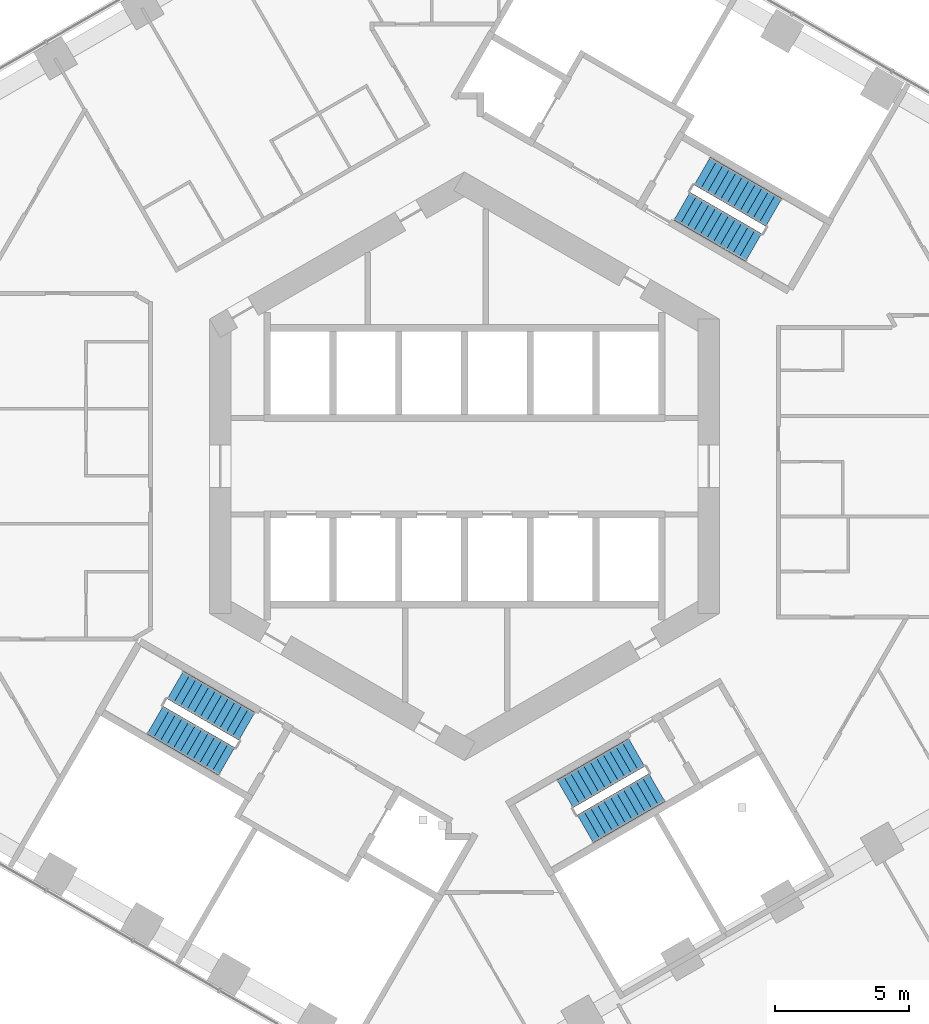
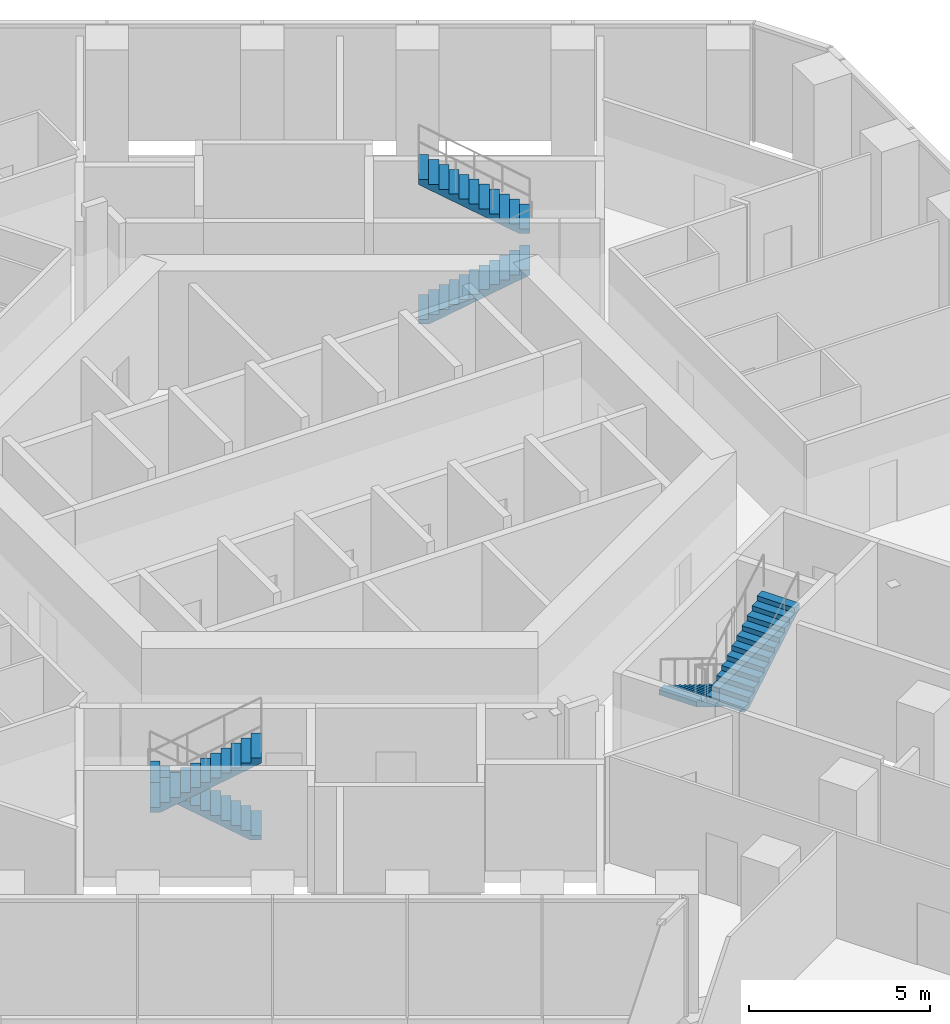
# One storey, part 24 of 27: 6 stair flights, 3 elements without a shape of their own.
"""IFC4 building model written with IfcOpenShell, lengths in metres."""

from ifc_helpers import new_model, si_unit, direction, frame, origin, place, context, subcontext, project, spatial, triangles, material, type_object, element, aggregate, save


model = new_model("IFC4")

# Units and contexts
model_context = context("Model", 3, precision=1e-05, world=origin(), true_north=direction((0.0, 1.0)))
body_context = subcontext(model_context, "Body", "Model", "MODEL_VIEW")
ifc_project = project(units=[si_unit("LENGTHUNIT", "METRE"), si_unit("AREAUNIT", "SQUARE_METRE"), si_unit("VOLUMEUNIT", "CUBIC_METRE"), si_unit("PLANEANGLEUNIT", "RADIAN"), si_unit("MASSUNIT", "GRAM", prefix="KILO")], contexts=[model_context])

# Site, building, storey
site_placement = place(None, origin())
site = spatial("IfcSite", under=ifc_project, at=site_placement, CompositionType="ELEMENT")
building_placement = place(site_placement, origin())
building = spatial("IfcBuilding", under=site, at=building_placement, Name="Ayvan Gate Tower", CompositionType="ELEMENT")
storey_placement = place(building_placement, frame((0.0, 0.0, 70.300048828125)))
storey = spatial("IfcBuildingStorey", under=building, at=storey_placement, Name="L18", CompositionType="ELEMENT", Elevation=70.300048828125)

# Stair, stair flights
ifc_material = material(Name="Concrete C40/50", Category="concrete")
stair_type = type_object("IfcStairType", Name="ST-EXIT", PredefinedType="HALF_TURN_STAIR", material=ifc_material)
stair_1_placement = place(storey_placement, origin())
stair_1 = element("IfcStair", 1, at=stair_1_placement, inside=storey, type_object=stair_type, Name="L18 Exit Stair S1", PredefinedType="HALF_TURN_STAIR")
stair_flight_type = type_object("IfcStairFlightType", Name="SFL-EXIT", PredefinedType="STRAIGHT", material=ifc_material)
stair_flight_1_placement = place(storey_placement, frame((8.106201171875, 9.690185546875, 0.0), z_axis=(0.0, 0.0, 1.0), x_axis=(0.866025403784, -0.5, 0.0)))
stair_flight_1 = element("IfcStairFlight", 2, at=stair_flight_1_placement, type_object=stair_flight_type, Name="STS1 flight 1", NumberOfRisers=12, NumberOfTreads=11, PredefinedType="STRAIGHT", RiserHeight=0.166666667, TreadLength=0.28, context=body_context, shape_type="Tessellation", body=[
    triangles([(0.293073, -0.599976, 0.0), (3.0805, -0.599976, 1.659182), (3.0805, -0.599976, 1.833333), (2.8, -0.599976, 1.833333), (2.8, -0.599976, 1.666667), (2.52, -0.599976, 1.666667), (2.52, -0.599976, 1.5), (2.24, -0.599976, 1.5), (2.24, -0.599976, 1.333333), (1.96, -0.599976, 1.333333), (1.96, -0.599976, 1.166667), (1.68, -0.599976, 1.166667), (1.68, -0.599976, 1.0), (1.4, -0.599976, 1.0), (1.4, -0.599976, 0.833333), (1.12, -0.599976, 0.833333), (1.12, -0.599976, 0.666667), (0.84, -0.599976, 0.666667), (0.84, -0.599976, 0.5), (0.56, -0.599976, 0.5), (0.56, -0.599976, 0.333333), (0.28, -0.599976, 0.333333), (0.28, -0.599976, 0.166667), (-0.0005, -0.599976, 0.166667), (-0.0005, -0.599976, 0.0), (0.293073, 0.0, 0.0), (3.0805, 0.0, 1.659182), (3.0805, 0.0, 1.833333), (2.8, 0.0, 1.833333), (2.8, 0.0, 1.666667), (2.52, 0.0, 1.666667), (2.52, 0.0, 1.5), (2.24, 0.0, 1.5), (2.24, 0.0, 1.333333), (1.96, 0.0, 1.333333), (1.96, 0.0, 1.166667), (1.68, 0.0, 1.166667), (1.68, 0.0, 1.0), (1.4, 0.0, 1.0), (1.4, 0.0, 0.833333), (1.12, 0.0, 0.833333), (1.12, 0.0, 0.666667), (0.84, 0.0, 0.666667), (0.84, 0.0, 0.5), (0.56, 0.0, 0.5), (0.56, 0.0, 0.333333), (0.28, 0.0, 0.333333), (0.28, 0.0, 0.166667), (-0.0005, 0.0, 0.166667), (-0.0005, 0.0, 0.0), (0.293073, 0.599976, 0.0), (3.0805, 0.599976, 1.659182), (3.0805, 0.599976, 1.833333), (2.8, 0.599976, 1.833333), (2.8, 0.599976, 1.666667), (2.52, 0.599976, 1.666667), (2.52, 0.599976, 1.5), (2.24, 0.599976, 1.5), (2.24, 0.599976, 1.333333), (1.96, 0.599976, 1.333333), (1.96, 0.599976, 1.166667), (1.68, 0.599976, 1.166667), (1.68, 0.599976, 1.0), (1.4, 0.599976, 1.0), (1.4, 0.599976, 0.833333), (1.12, 0.599976, 0.833333), (1.12, 0.599976, 0.666667), (0.84, 0.599976, 0.666667), (0.84, 0.599976, 0.5), (0.56, 0.599976, 0.5), (0.56, 0.599976, 0.333333), (0.28, 0.599976, 0.333333), (0.28, 0.599976, 0.166667), (-0.0005, 0.599976, 0.166667), (-0.0005, 0.599976, 0.0)], [[25, 1, 2], [75, 52, 51], [2, 3, 4], [52, 54, 53], [2, 4, 5], [52, 55, 54], [2, 5, 6], [52, 56, 55], [2, 6, 7], [52, 57, 56], [7, 8, 9], [57, 59, 58], [2, 7, 9], [52, 59, 57], [9, 10, 11], [59, 61, 60], [2, 9, 11], [52, 61, 59], [11, 12, 13], [61, 63, 62], [2, 11, 13], [52, 63, 61], [13, 14, 15], [63, 65, 64], [2, 13, 15], [52, 65, 63], [15, 16, 17], [65, 67, 66], [2, 15, 17], [52, 67, 65], [17, 18, 19], [67, 69, 68], [2, 17, 19], [52, 69, 67], [19, 20, 21], [69, 71, 70], [2, 19, 21], [52, 71, 69], [21, 22, 23], [71, 73, 72], [2, 21, 23], [52, 73, 71], [25, 2, 23], [75, 73, 52], [23, 24, 25], [73, 75, 74], [1, 26, 27], [1, 27, 2], [51, 27, 26], [51, 52, 27], [2, 27, 28], [2, 28, 3], [52, 28, 27], [52, 53, 28], [3, 28, 29], [3, 29, 4], [53, 29, 28], [53, 54, 29], [4, 29, 30], [4, 30, 5], [54, 30, 29], [54, 55, 30], [5, 30, 31], [5, 31, 6], [55, 31, 30], [55, 56, 31], [6, 31, 32], [6, 32, 7], [56, 32, 31], [56, 57, 32], [7, 32, 33], [7, 33, 8], [57, 33, 32], [57, 58, 33], [8, 33, 34], [8, 34, 9], [58, 34, 33], [58, 59, 34], [9, 34, 35], [9, 35, 10], [59, 35, 34], [59, 60, 35], [10, 35, 36], [10, 36, 11], [60, 36, 35], [60, 61, 36], [11, 36, 37], [11, 37, 12], [61, 37, 36], [61, 62, 37], [12, 37, 38], [12, 38, 13], [62, 38, 37], [62, 63, 38], [13, 38, 39], [13, 39, 14], [63, 39, 38], [63, 64, 39], [14, 39, 40], [14, 40, 15], [64, 40, 39], [64, 65, 40], [15, 40, 41], [15, 41, 16], [65, 41, 40], [65, 66, 41], [16, 41, 42], [16, 42, 17], [66, 42, 41], [66, 67, 42], [17, 42, 43], [17, 43, 18], [67, 43, 42], [67, 68, 43], [18, 43, 44], [18, 44, 19], [68, 44, 43], [68, 69, 44], [19, 44, 45], [19, 45, 20], [69, 45, 44], [69, 70, 45], [20, 45, 46], [20, 46, 21], [70, 46, 45], [70, 71, 46], [21, 46, 47], [21, 47, 22], [71, 47, 46], [71, 72, 47], [22, 47, 48], [22, 48, 23], [72, 48, 47], [72, 73, 48], [23, 48, 49], [23, 49, 24], [73, 49, 48], [73, 74, 49], [24, 49, 50], [24, 50, 25], [74, 50, 49], [74, 75, 50], [25, 50, 26], [25, 26, 1], [75, 26, 50], [75, 51, 26]], closed=True),
])
stair_flight_2_placement = place(storey_placement, frame((11.528564453125, 9.457763671875, 2.0), z_axis=(0.0, 0.0, 1.0), x_axis=(-0.866025403784, 0.5, 0.0)))
stair_flight_2 = element("IfcStairFlight", 3, at=stair_flight_2_placement, type_object=stair_flight_type, Name="STS1 flight 2", NumberOfRisers=12, NumberOfTreads=11, PredefinedType="STRAIGHT", RiserHeight=0.166666667, TreadLength=0.28, context=body_context, shape_type="Tessellation", body=[
    triangles([(0.293073, -0.599976, 0.0), (3.0805, -0.599976, 1.659182), (3.0805, -0.599976, 1.833333), (2.8, -0.599976, 1.833333), (2.8, -0.599976, 1.666667), (2.52, -0.599976, 1.666667), (2.52, -0.599976, 1.5), (2.24, -0.599976, 1.5), (2.24, -0.599976, 1.333333), (1.96, -0.599976, 1.333333), (1.96, -0.599976, 1.166667), (1.68, -0.599976, 1.166667), (1.68, -0.599976, 1.0), (1.4, -0.599976, 1.0), (1.4, -0.599976, 0.833333), (1.12, -0.599976, 0.833333), (1.12, -0.599976, 0.666667), (0.84, -0.599976, 0.666667), (0.84, -0.599976, 0.5), (0.56, -0.599976, 0.5), (0.56, -0.599976, 0.333333), (0.28, -0.599976, 0.333333), (0.28, -0.599976, 0.166667), (-0.0005, -0.599976, 0.166667), (-0.0005, -0.599976, 0.0), (0.293073, 0.0, 0.0), (3.0805, 0.0, 1.659182), (3.0805, 0.0, 1.833333), (2.8, 0.0, 1.833333), (2.8, 0.0, 1.666667), (2.52, 0.0, 1.666667), (2.52, 0.0, 1.5), (2.24, 0.0, 1.5), (2.24, 0.0, 1.333333), (1.96, 0.0, 1.333333), (1.96, 0.0, 1.166667), (1.68, 0.0, 1.166667), (1.68, 0.0, 1.0), (1.4, 0.0, 1.0), (1.4, 0.0, 0.833333), (1.12, 0.0, 0.833333), (1.12, 0.0, 0.666667), (0.84, 0.0, 0.666667), (0.84, 0.0, 0.5), (0.56, 0.0, 0.5), (0.56, 0.0, 0.333333), (0.28, 0.0, 0.333333), (0.28, 0.0, 0.166667), (-0.0005, 0.0, 0.166667), (-0.0005, 0.0, 0.0), (0.293073, 0.599976, 0.0), (3.0805, 0.599976, 1.659182), (3.0805, 0.599976, 1.833333), (2.8, 0.599976, 1.833333), (2.8, 0.599976, 1.666667), (2.52, 0.599976, 1.666667), (2.52, 0.599976, 1.5), (2.24, 0.599976, 1.5), (2.24, 0.599976, 1.333333), (1.96, 0.599976, 1.333333), (1.96, 0.599976, 1.166667), (1.68, 0.599976, 1.166667), (1.68, 0.599976, 1.0), (1.4, 0.599976, 1.0), (1.4, 0.599976, 0.833333), (1.12, 0.599976, 0.833333), (1.12, 0.599976, 0.666667), (0.84, 0.599976, 0.666667), (0.84, 0.599976, 0.5), (0.56, 0.599976, 0.5), (0.56, 0.599976, 0.333333), (0.28, 0.599976, 0.333333), (0.28, 0.599976, 0.166667), (-0.0005, 0.599976, 0.166667), (-0.0005, 0.599976, 0.0)], [[25, 1, 2], [75, 52, 51], [2, 3, 4], [52, 54, 53], [2, 4, 5], [52, 55, 54], [2, 5, 6], [52, 56, 55], [2, 6, 7], [52, 57, 56], [7, 8, 9], [57, 59, 58], [2, 7, 9], [52, 59, 57], [9, 10, 11], [59, 61, 60], [2, 9, 11], [52, 61, 59], [11, 12, 13], [61, 63, 62], [2, 11, 13], [52, 63, 61], [13, 14, 15], [63, 65, 64], [2, 13, 15], [52, 65, 63], [15, 16, 17], [65, 67, 66], [2, 15, 17], [52, 67, 65], [17, 18, 19], [67, 69, 68], [2, 17, 19], [52, 69, 67], [19, 20, 21], [69, 71, 70], [2, 19, 21], [52, 71, 69], [21, 22, 23], [71, 73, 72], [2, 21, 23], [52, 73, 71], [25, 2, 23], [75, 73, 52], [23, 24, 25], [73, 75, 74], [1, 26, 27], [1, 27, 2], [51, 27, 26], [51, 52, 27], [2, 27, 28], [2, 28, 3], [52, 28, 27], [52, 53, 28], [3, 28, 29], [3, 29, 4], [53, 29, 28], [53, 54, 29], [4, 29, 30], [4, 30, 5], [54, 30, 29], [54, 55, 30], [5, 30, 31], [5, 31, 6], [55, 31, 30], [55, 56, 31], [6, 31, 32], [6, 32, 7], [56, 32, 31], [56, 57, 32], [7, 32, 33], [7, 33, 8], [57, 33, 32], [57, 58, 33], [8, 33, 34], [8, 34, 9], [58, 34, 33], [58, 59, 34], [9, 34, 35], [9, 35, 10], [59, 35, 34], [59, 60, 35], [10, 35, 36], [10, 36, 11], [60, 36, 35], [60, 61, 36], [11, 36, 37], [11, 37, 12], [61, 37, 36], [61, 62, 37], [12, 37, 38], [12, 38, 13], [62, 38, 37], [62, 63, 38], [13, 38, 39], [13, 39, 14], [63, 39, 38], [63, 64, 39], [14, 39, 40], [14, 40, 15], [64, 40, 39], [64, 65, 40], [15, 40, 41], [15, 41, 16], [65, 41, 40], [65, 66, 41], [16, 41, 42], [16, 42, 17], [66, 42, 41], [66, 67, 42], [17, 42, 43], [17, 43, 18], [67, 43, 42], [67, 68, 43], [18, 43, 44], [18, 44, 19], [68, 44, 43], [68, 69, 44], [19, 44, 45], [19, 45, 20], [69, 45, 44], [69, 70, 45], [20, 45, 46], [20, 46, 21], [70, 46, 45], [70, 71, 46], [21, 46, 47], [21, 47, 22], [71, 47, 46], [71, 72, 47], [22, 47, 48], [22, 48, 23], [72, 48, 47], [72, 73, 48], [23, 48, 49], [23, 49, 24], [73, 49, 48], [73, 74, 49], [24, 49, 50], [24, 50, 25], [74, 50, 49], [74, 75, 50], [25, 50, 26], [25, 26, 1], [75, 26, 50], [75, 51, 26]], closed=True),
])
aggregate(stair_1, [stair_flight_1, stair_flight_2])

stair_2_placement = place(storey_placement, origin())
stair_2 = element("IfcStair", 4, at=stair_2_placement, inside=storey, type_object=stair_type, Name="L18 Exit Stair S2", PredefinedType="HALF_TURN_STAIR")
stair_flight_3_placement = place(storey_placement, frame((-8.106201171875, -9.690185546875, 0.0), z_axis=(0.0, 0.0, 1.0), x_axis=(-0.866025403784, 0.5, 0.0)))
stair_flight_3 = element("IfcStairFlight", 5, at=stair_flight_3_placement, type_object=stair_flight_type, Name="STS2 flight 1", NumberOfRisers=12, NumberOfTreads=11, PredefinedType="STRAIGHT", RiserHeight=0.166666667, TreadLength=0.28, context=body_context, shape_type="Tessellation", body=[
    triangles([(0.293073, -0.599976, 0.0), (3.0805, -0.599976, 1.659182), (3.0805, -0.599976, 1.833333), (2.8, -0.599976, 1.833333), (2.8, -0.599976, 1.666667), (2.52, -0.599976, 1.666667), (2.52, -0.599976, 1.5), (2.24, -0.599976, 1.5), (2.24, -0.599976, 1.333333), (1.96, -0.599976, 1.333333), (1.96, -0.599976, 1.166667), (1.68, -0.599976, 1.166667), (1.68, -0.599976, 1.0), (1.4, -0.599976, 1.0), (1.4, -0.599976, 0.833333), (1.12, -0.599976, 0.833333), (1.12, -0.599976, 0.666667), (0.84, -0.599976, 0.666667), (0.84, -0.599976, 0.5), (0.56, -0.599976, 0.5), (0.56, -0.599976, 0.333333), (0.28, -0.599976, 0.333333), (0.28, -0.599976, 0.166667), (-0.0005, -0.599976, 0.166667), (-0.0005, -0.599976, 0.0), (0.293073, 0.0, 0.0), (3.0805, 0.0, 1.659182), (3.0805, 0.0, 1.833333), (2.8, 0.0, 1.833333), (2.8, 0.0, 1.666667), (2.52, 0.0, 1.666667), (2.52, 0.0, 1.5), (2.24, 0.0, 1.5), (2.24, 0.0, 1.333333), (1.96, 0.0, 1.333333), (1.96, 0.0, 1.166667), (1.68, 0.0, 1.166667), (1.68, 0.0, 1.0), (1.4, 0.0, 1.0), (1.4, 0.0, 0.833333), (1.12, 0.0, 0.833333), (1.12, 0.0, 0.666667), (0.84, 0.0, 0.666667), (0.84, 0.0, 0.5), (0.56, 0.0, 0.5), (0.56, 0.0, 0.333333), (0.28, 0.0, 0.333333), (0.28, 0.0, 0.166667), (-0.0005, 0.0, 0.166667), (-0.0005, 0.0, 0.0), (0.293073, 0.599976, 0.0), (3.0805, 0.599976, 1.659182), (3.0805, 0.599976, 1.833333), (2.8, 0.599976, 1.833333), (2.8, 0.599976, 1.666667), (2.52, 0.599976, 1.666667), (2.52, 0.599976, 1.5), (2.24, 0.599976, 1.5), (2.24, 0.599976, 1.333333), (1.96, 0.599976, 1.333333), (1.96, 0.599976, 1.166667), (1.68, 0.599976, 1.166667), (1.68, 0.599976, 1.0), (1.4, 0.599976, 1.0), (1.4, 0.599976, 0.833333), (1.12, 0.599976, 0.833333), (1.12, 0.599976, 0.666667), (0.84, 0.599976, 0.666667), (0.84, 0.599976, 0.5), (0.56, 0.599976, 0.5), (0.56, 0.599976, 0.333333), (0.28, 0.599976, 0.333333), (0.28, 0.599976, 0.166667), (-0.0005, 0.599976, 0.166667), (-0.0005, 0.599976, 0.0)], [[25, 1, 2], [75, 52, 51], [2, 3, 4], [52, 54, 53], [2, 4, 5], [52, 55, 54], [2, 5, 6], [52, 56, 55], [2, 6, 7], [52, 57, 56], [7, 8, 9], [57, 59, 58], [2, 7, 9], [52, 59, 57], [9, 10, 11], [59, 61, 60], [2, 9, 11], [52, 61, 59], [11, 12, 13], [61, 63, 62], [2, 11, 13], [52, 63, 61], [13, 14, 15], [63, 65, 64], [2, 13, 15], [52, 65, 63], [15, 16, 17], [65, 67, 66], [2, 15, 17], [52, 67, 65], [17, 18, 19], [67, 69, 68], [2, 17, 19], [52, 69, 67], [19, 20, 21], [69, 71, 70], [2, 19, 21], [52, 71, 69], [21, 22, 23], [71, 73, 72], [2, 21, 23], [52, 73, 71], [25, 2, 23], [75, 73, 52], [23, 24, 25], [73, 75, 74], [1, 26, 27], [1, 27, 2], [51, 27, 26], [51, 52, 27], [2, 27, 28], [2, 28, 3], [52, 28, 27], [52, 53, 28], [3, 28, 29], [3, 29, 4], [53, 29, 28], [53, 54, 29], [4, 29, 30], [4, 30, 5], [54, 30, 29], [54, 55, 30], [5, 30, 31], [5, 31, 6], [55, 31, 30], [55, 56, 31], [6, 31, 32], [6, 32, 7], [56, 32, 31], [56, 57, 32], [7, 32, 33], [7, 33, 8], [57, 33, 32], [57, 58, 33], [8, 33, 34], [8, 34, 9], [58, 34, 33], [58, 59, 34], [9, 34, 35], [9, 35, 10], [59, 35, 34], [59, 60, 35], [10, 35, 36], [10, 36, 11], [60, 36, 35], [60, 61, 36], [11, 36, 37], [11, 37, 12], [61, 37, 36], [61, 62, 37], [12, 37, 38], [12, 38, 13], [62, 38, 37], [62, 63, 38], [13, 38, 39], [13, 39, 14], [63, 39, 38], [63, 64, 39], [14, 39, 40], [14, 40, 15], [64, 40, 39], [64, 65, 40], [15, 40, 41], [15, 41, 16], [65, 41, 40], [65, 66, 41], [16, 41, 42], [16, 42, 17], [66, 42, 41], [66, 67, 42], [17, 42, 43], [17, 43, 18], [67, 43, 42], [67, 68, 43], [18, 43, 44], [18, 44, 19], [68, 44, 43], [68, 69, 44], [19, 44, 45], [19, 45, 20], [69, 45, 44], [69, 70, 45], [20, 45, 46], [20, 46, 21], [70, 46, 45], [70, 71, 46], [21, 46, 47], [21, 47, 22], [71, 47, 46], [71, 72, 47], [22, 47, 48], [22, 48, 23], [72, 48, 47], [72, 73, 48], [23, 48, 49], [23, 49, 24], [73, 49, 48], [73, 74, 49], [24, 49, 50], [24, 50, 25], [74, 50, 49], [74, 75, 50], [25, 50, 26], [25, 26, 1], [75, 26, 50], [75, 51, 26]], closed=True),
])
stair_flight_4_placement = place(storey_placement, frame((-11.528564453125, -9.457763671875, 2.0), z_axis=(0.0, 0.0, 1.0), x_axis=(0.866025403784, -0.5, 0.0)))
stair_flight_4 = element("IfcStairFlight", 6, at=stair_flight_4_placement, type_object=stair_flight_type, Name="STS2 flight 2", NumberOfRisers=12, NumberOfTreads=11, PredefinedType="STRAIGHT", RiserHeight=0.166666667, TreadLength=0.28, context=body_context, shape_type="Tessellation", body=[
    triangles([(0.293073, -0.599976, 0.0), (3.0805, -0.599976, 1.659182), (3.0805, -0.599976, 1.833333), (2.8, -0.599976, 1.833333), (2.8, -0.599976, 1.666667), (2.52, -0.599976, 1.666667), (2.52, -0.599976, 1.5), (2.24, -0.599976, 1.5), (2.24, -0.599976, 1.333333), (1.96, -0.599976, 1.333333), (1.96, -0.599976, 1.166667), (1.68, -0.599976, 1.166667), (1.68, -0.599976, 1.0), (1.4, -0.599976, 1.0), (1.4, -0.599976, 0.833333), (1.12, -0.599976, 0.833333), (1.12, -0.599976, 0.666667), (0.84, -0.599976, 0.666667), (0.84, -0.599976, 0.5), (0.56, -0.599976, 0.5), (0.56, -0.599976, 0.333333), (0.28, -0.599976, 0.333333), (0.28, -0.599976, 0.166667), (-0.0005, -0.599976, 0.166667), (-0.0005, -0.599976, 0.0), (0.293073, 0.0, 0.0), (3.0805, 0.0, 1.659182), (3.0805, 0.0, 1.833333), (2.8, 0.0, 1.833333), (2.8, 0.0, 1.666667), (2.52, 0.0, 1.666667), (2.52, 0.0, 1.5), (2.24, 0.0, 1.5), (2.24, 0.0, 1.333333), (1.96, 0.0, 1.333333), (1.96, 0.0, 1.166667), (1.68, 0.0, 1.166667), (1.68, 0.0, 1.0), (1.4, 0.0, 1.0), (1.4, 0.0, 0.833333), (1.12, 0.0, 0.833333), (1.12, 0.0, 0.666667), (0.84, 0.0, 0.666667), (0.84, 0.0, 0.5), (0.56, 0.0, 0.5), (0.56, 0.0, 0.333333), (0.28, 0.0, 0.333333), (0.28, 0.0, 0.166667), (-0.0005, 0.0, 0.166667), (-0.0005, 0.0, 0.0), (0.293073, 0.599976, 0.0), (3.0805, 0.599976, 1.659182), (3.0805, 0.599976, 1.833333), (2.8, 0.599976, 1.833333), (2.8, 0.599976, 1.666667), (2.52, 0.599976, 1.666667), (2.52, 0.599976, 1.5), (2.24, 0.599976, 1.5), (2.24, 0.599976, 1.333333), (1.96, 0.599976, 1.333333), (1.96, 0.599976, 1.166667), (1.68, 0.599976, 1.166667), (1.68, 0.599976, 1.0), (1.4, 0.599976, 1.0), (1.4, 0.599976, 0.833333), (1.12, 0.599976, 0.833333), (1.12, 0.599976, 0.666667), (0.84, 0.599976, 0.666667), (0.84, 0.599976, 0.5), (0.56, 0.599976, 0.5), (0.56, 0.599976, 0.333333), (0.28, 0.599976, 0.333333), (0.28, 0.599976, 0.166667), (-0.0005, 0.599976, 0.166667), (-0.0005, 0.599976, 0.0)], [[25, 1, 2], [75, 52, 51], [2, 3, 4], [52, 54, 53], [2, 4, 5], [52, 55, 54], [2, 5, 6], [52, 56, 55], [2, 6, 7], [52, 57, 56], [7, 8, 9], [57, 59, 58], [2, 7, 9], [52, 59, 57], [9, 10, 11], [59, 61, 60], [2, 9, 11], [52, 61, 59], [11, 12, 13], [61, 63, 62], [2, 11, 13], [52, 63, 61], [13, 14, 15], [63, 65, 64], [2, 13, 15], [52, 65, 63], [15, 16, 17], [65, 67, 66], [2, 15, 17], [52, 67, 65], [17, 18, 19], [67, 69, 68], [2, 17, 19], [52, 69, 67], [19, 20, 21], [69, 71, 70], [2, 19, 21], [52, 71, 69], [21, 22, 23], [71, 73, 72], [2, 21, 23], [52, 73, 71], [25, 2, 23], [75, 73, 52], [23, 24, 25], [73, 75, 74], [1, 26, 27], [1, 27, 2], [51, 27, 26], [51, 52, 27], [2, 27, 28], [2, 28, 3], [52, 28, 27], [52, 53, 28], [3, 28, 29], [3, 29, 4], [53, 29, 28], [53, 54, 29], [4, 29, 30], [4, 30, 5], [54, 30, 29], [54, 55, 30], [5, 30, 31], [5, 31, 6], [55, 31, 30], [55, 56, 31], [6, 31, 32], [6, 32, 7], [56, 32, 31], [56, 57, 32], [7, 32, 33], [7, 33, 8], [57, 33, 32], [57, 58, 33], [8, 33, 34], [8, 34, 9], [58, 34, 33], [58, 59, 34], [9, 34, 35], [9, 35, 10], [59, 35, 34], [59, 60, 35], [10, 35, 36], [10, 36, 11], [60, 36, 35], [60, 61, 36], [11, 36, 37], [11, 37, 12], [61, 37, 36], [61, 62, 37], [12, 37, 38], [12, 38, 13], [62, 38, 37], [62, 63, 38], [13, 38, 39], [13, 39, 14], [63, 39, 38], [63, 64, 39], [14, 39, 40], [14, 40, 15], [64, 40, 39], [64, 65, 40], [15, 40, 41], [15, 41, 16], [65, 41, 40], [65, 66, 41], [16, 41, 42], [16, 42, 17], [66, 42, 41], [66, 67, 42], [17, 42, 43], [17, 43, 18], [67, 43, 42], [67, 68, 43], [18, 43, 44], [18, 44, 19], [68, 44, 43], [68, 69, 44], [19, 44, 45], [19, 45, 20], [69, 45, 44], [69, 70, 45], [20, 45, 46], [20, 46, 21], [70, 46, 45], [70, 71, 46], [21, 46, 47], [21, 47, 22], [71, 47, 46], [71, 72, 47], [22, 47, 48], [22, 48, 23], [72, 48, 47], [72, 73, 48], [23, 48, 49], [23, 49, 24], [73, 49, 48], [73, 74, 49], [24, 49, 50], [24, 50, 25], [74, 50, 49], [74, 75, 50], [25, 50, 26], [25, 26, 1], [75, 26, 50], [75, 51, 26]], closed=True),
])
aggregate(stair_2, [stair_flight_3, stair_flight_4])

stair_3_placement = place(storey_placement, origin())
stair_3 = element("IfcStair", 7, at=stair_3_placement, inside=storey, type_object=stair_type, Name="L18 Exit Stair S3", PredefinedType="HALF_TURN_STAIR")
stair_flight_5_placement = place(storey_placement, frame((6.417236328125, -10.665283203125, 0.0), z_axis=(0.0, 0.0, 1.0), x_axis=(-0.866025403784, -0.5, 0.0)))
stair_flight_5 = element("IfcStairFlight", 8, at=stair_flight_5_placement, type_object=stair_flight_type, Name="STS3 flight 1", NumberOfRisers=12, NumberOfTreads=11, PredefinedType="STRAIGHT", RiserHeight=0.166666667, TreadLength=0.28, context=body_context, shape_type="Tessellation", body=[
    triangles([(0.293073, -0.599976, 0.0), (3.0805, -0.599976, 1.659182), (3.0805, -0.599976, 1.833333), (2.8, -0.599976, 1.833333), (2.8, -0.599976, 1.666667), (2.52, -0.599976, 1.666667), (2.52, -0.599976, 1.5), (2.24, -0.599976, 1.5), (2.24, -0.599976, 1.333333), (1.96, -0.599976, 1.333333), (1.96, -0.599976, 1.166667), (1.68, -0.599976, 1.166667), (1.68, -0.599976, 1.0), (1.4, -0.599976, 1.0), (1.4, -0.599976, 0.833333), (1.12, -0.599976, 0.833333), (1.12, -0.599976, 0.666667), (0.84, -0.599976, 0.666667), (0.84, -0.599976, 0.5), (0.56, -0.599976, 0.5), (0.56, -0.599976, 0.333333), (0.28, -0.599976, 0.333333), (0.28, -0.599976, 0.166667), (-0.0005, -0.599976, 0.166667), (-0.0005, -0.599976, 0.0), (0.293073, 0.0, 0.0), (3.0805, 0.0, 1.659182), (3.0805, 0.0, 1.833333), (2.8, 0.0, 1.833333), (2.8, 0.0, 1.666667), (2.52, 0.0, 1.666667), (2.52, 0.0, 1.5), (2.24, 0.0, 1.5), (2.24, 0.0, 1.333333), (1.96, 0.0, 1.333333), (1.96, 0.0, 1.166667), (1.68, 0.0, 1.166667), (1.68, 0.0, 1.0), (1.4, 0.0, 1.0), (1.4, 0.0, 0.833333), (1.12, 0.0, 0.833333), (1.12, 0.0, 0.666667), (0.84, 0.0, 0.666667), (0.84, 0.0, 0.5), (0.56, 0.0, 0.5), (0.56, 0.0, 0.333333), (0.28, 0.0, 0.333333), (0.28, 0.0, 0.166667), (-0.0005, 0.0, 0.166667), (-0.0005, 0.0, 0.0), (0.293073, 0.599976, 0.0), (3.0805, 0.599976, 1.659182), (3.0805, 0.599976, 1.833333), (2.8, 0.599976, 1.833333), (2.8, 0.599976, 1.666667), (2.52, 0.599976, 1.666667), (2.52, 0.599976, 1.5), (2.24, 0.599976, 1.5), (2.24, 0.599976, 1.333333), (1.96, 0.599976, 1.333333), (1.96, 0.599976, 1.166667), (1.68, 0.599976, 1.166667), (1.68, 0.599976, 1.0), (1.4, 0.599976, 1.0), (1.4, 0.599976, 0.833333), (1.12, 0.599976, 0.833333), (1.12, 0.599976, 0.666667), (0.84, 0.599976, 0.666667), (0.84, 0.599976, 0.5), (0.56, 0.599976, 0.5), (0.56, 0.599976, 0.333333), (0.28, 0.599976, 0.333333), (0.28, 0.599976, 0.166667), (-0.0005, 0.599976, 0.166667), (-0.0005, 0.599976, 0.0)], [[25, 1, 2], [75, 52, 51], [2, 3, 4], [52, 54, 53], [2, 4, 5], [52, 55, 54], [2, 5, 6], [52, 56, 55], [2, 6, 7], [52, 57, 56], [7, 8, 9], [57, 59, 58], [2, 7, 9], [52, 59, 57], [9, 10, 11], [59, 61, 60], [2, 9, 11], [52, 61, 59], [11, 12, 13], [61, 63, 62], [2, 11, 13], [52, 63, 61], [13, 14, 15], [63, 65, 64], [2, 13, 15], [52, 65, 63], [15, 16, 17], [65, 67, 66], [2, 15, 17], [52, 67, 65], [17, 18, 19], [67, 69, 68], [2, 17, 19], [52, 69, 67], [19, 20, 21], [69, 71, 70], [2, 19, 21], [52, 71, 69], [21, 22, 23], [71, 73, 72], [2, 21, 23], [52, 73, 71], [25, 2, 23], [75, 73, 52], [23, 24, 25], [73, 75, 74], [1, 26, 27], [1, 27, 2], [51, 27, 26], [51, 52, 27], [2, 27, 28], [2, 28, 3], [52, 28, 27], [52, 53, 28], [3, 28, 29], [3, 29, 4], [53, 29, 28], [53, 54, 29], [4, 29, 30], [4, 30, 5], [54, 30, 29], [54, 55, 30], [5, 30, 31], [5, 31, 6], [55, 31, 30], [55, 56, 31], [6, 31, 32], [6, 32, 7], [56, 32, 31], [56, 57, 32], [7, 32, 33], [7, 33, 8], [57, 33, 32], [57, 58, 33], [8, 33, 34], [8, 34, 9], [58, 34, 33], [58, 59, 34], [9, 34, 35], [9, 35, 10], [59, 35, 34], [59, 60, 35], [10, 35, 36], [10, 36, 11], [60, 36, 35], [60, 61, 36], [11, 36, 37], [11, 37, 12], [61, 37, 36], [61, 62, 37], [12, 37, 38], [12, 38, 13], [62, 38, 37], [62, 63, 38], [13, 38, 39], [13, 39, 14], [63, 39, 38], [63, 64, 39], [14, 39, 40], [14, 40, 15], [64, 40, 39], [64, 65, 40], [15, 40, 41], [15, 41, 16], [65, 41, 40], [65, 66, 41], [16, 41, 42], [16, 42, 17], [66, 42, 41], [66, 67, 42], [17, 42, 43], [17, 43, 18], [67, 43, 42], [67, 68, 43], [18, 43, 44], [18, 44, 19], [68, 44, 43], [68, 69, 44], [19, 44, 45], [19, 45, 20], [69, 45, 44], [69, 70, 45], [20, 45, 46], [20, 46, 21], [70, 46, 45], [70, 71, 46], [21, 46, 47], [21, 47, 22], [71, 47, 46], [71, 72, 47], [22, 47, 48], [22, 48, 23], [72, 48, 47], [72, 73, 48], [23, 48, 49], [23, 49, 24], [73, 49, 48], [73, 74, 49], [24, 49, 50], [24, 50, 25], [74, 50, 49], [74, 75, 50], [25, 50, 26], [25, 26, 1], [75, 26, 50], [75, 51, 26]], closed=True),
])
stair_flight_6_placement = place(storey_placement, frame((4.5048828125, -13.512939453125, 2.0), z_axis=(0.0, 0.0, 1.0), x_axis=(0.866025403784, 0.5, 0.0)))
stair_flight_6 = element("IfcStairFlight", 9, at=stair_flight_6_placement, type_object=stair_flight_type, Name="STS3 flight 2", NumberOfRisers=12, NumberOfTreads=11, PredefinedType="STRAIGHT", RiserHeight=0.166666667, TreadLength=0.28, context=body_context, shape_type="Tessellation", body=[
    triangles([(0.293073, -0.599976, 0.0), (3.0805, -0.599976, 1.659182), (3.0805, -0.599976, 1.833333), (2.8, -0.599976, 1.833333), (2.8, -0.599976, 1.666667), (2.52, -0.599976, 1.666667), (2.52, -0.599976, 1.5), (2.24, -0.599976, 1.5), (2.24, -0.599976, 1.333333), (1.96, -0.599976, 1.333333), (1.96, -0.599976, 1.166667), (1.68, -0.599976, 1.166667), (1.68, -0.599976, 1.0), (1.4, -0.599976, 1.0), (1.4, -0.599976, 0.833333), (1.12, -0.599976, 0.833333), (1.12, -0.599976, 0.666667), (0.84, -0.599976, 0.666667), (0.84, -0.599976, 0.5), (0.56, -0.599976, 0.5), (0.56, -0.599976, 0.333333), (0.28, -0.599976, 0.333333), (0.28, -0.599976, 0.166667), (-0.0005, -0.599976, 0.166667), (-0.0005, -0.599976, 0.0), (0.293073, 0.0, 0.0), (3.0805, 0.0, 1.659182), (3.0805, 0.0, 1.833333), (2.8, 0.0, 1.833333), (2.8, 0.0, 1.666667), (2.52, 0.0, 1.666667), (2.52, 0.0, 1.5), (2.24, 0.0, 1.5), (2.24, 0.0, 1.333333), (1.96, 0.0, 1.333333), (1.96, 0.0, 1.166667), (1.68, 0.0, 1.166667), (1.68, 0.0, 1.0), (1.4, 0.0, 1.0), (1.4, 0.0, 0.833333), (1.12, 0.0, 0.833333), (1.12, 0.0, 0.666667), (0.84, 0.0, 0.666667), (0.84, 0.0, 0.5), (0.56, 0.0, 0.5), (0.56, 0.0, 0.333333), (0.28, 0.0, 0.333333), (0.28, 0.0, 0.166667), (-0.0005, 0.0, 0.166667), (-0.0005, 0.0, 0.0), (0.293073, 0.599976, 0.0), (3.0805, 0.599976, 1.659182), (3.0805, 0.599976, 1.833333), (2.8, 0.599976, 1.833333), (2.8, 0.599976, 1.666667), (2.52, 0.599976, 1.666667), (2.52, 0.599976, 1.5), (2.24, 0.599976, 1.5), (2.24, 0.599976, 1.333333), (1.96, 0.599976, 1.333333), (1.96, 0.599976, 1.166667), (1.68, 0.599976, 1.166667), (1.68, 0.599976, 1.0), (1.4, 0.599976, 1.0), (1.4, 0.599976, 0.833333), (1.12, 0.599976, 0.833333), (1.12, 0.599976, 0.666667), (0.84, 0.599976, 0.666667), (0.84, 0.599976, 0.5), (0.56, 0.599976, 0.5), (0.56, 0.599976, 0.333333), (0.28, 0.599976, 0.333333), (0.28, 0.599976, 0.166667), (-0.0005, 0.599976, 0.166667), (-0.0005, 0.599976, 0.0)], [[25, 1, 2], [75, 52, 51], [2, 3, 4], [52, 54, 53], [2, 4, 5], [52, 55, 54], [2, 5, 6], [52, 56, 55], [2, 6, 7], [52, 57, 56], [7, 8, 9], [57, 59, 58], [2, 7, 9], [52, 59, 57], [9, 10, 11], [59, 61, 60], [2, 9, 11], [52, 61, 59], [11, 12, 13], [61, 63, 62], [2, 11, 13], [52, 63, 61], [13, 14, 15], [63, 65, 64], [2, 13, 15], [52, 65, 63], [15, 16, 17], [65, 67, 66], [2, 15, 17], [52, 67, 65], [17, 18, 19], [67, 69, 68], [2, 17, 19], [52, 69, 67], [19, 20, 21], [69, 71, 70], [2, 19, 21], [52, 71, 69], [21, 22, 23], [71, 73, 72], [2, 21, 23], [52, 73, 71], [25, 2, 23], [75, 73, 52], [23, 24, 25], [73, 75, 74], [1, 26, 27], [1, 27, 2], [51, 27, 26], [51, 52, 27], [2, 27, 28], [2, 28, 3], [52, 28, 27], [52, 53, 28], [3, 28, 29], [3, 29, 4], [53, 29, 28], [53, 54, 29], [4, 29, 30], [4, 30, 5], [54, 30, 29], [54, 55, 30], [5, 30, 31], [5, 31, 6], [55, 31, 30], [55, 56, 31], [6, 31, 32], [6, 32, 7], [56, 32, 31], [56, 57, 32], [7, 32, 33], [7, 33, 8], [57, 33, 32], [57, 58, 33], [8, 33, 34], [8, 34, 9], [58, 34, 33], [58, 59, 34], [9, 34, 35], [9, 35, 10], [59, 35, 34], [59, 60, 35], [10, 35, 36], [10, 36, 11], [60, 36, 35], [60, 61, 36], [11, 36, 37], [11, 37, 12], [61, 37, 36], [61, 62, 37], [12, 37, 38], [12, 38, 13], [62, 38, 37], [62, 63, 38], [13, 38, 39], [13, 39, 14], [63, 39, 38], [63, 64, 39], [14, 39, 40], [14, 40, 15], [64, 40, 39], [64, 65, 40], [15, 40, 41], [15, 41, 16], [65, 41, 40], [65, 66, 41], [16, 41, 42], [16, 42, 17], [66, 42, 41], [66, 67, 42], [17, 42, 43], [17, 43, 18], [67, 43, 42], [67, 68, 43], [18, 43, 44], [18, 44, 19], [68, 44, 43], [68, 69, 44], [19, 44, 45], [19, 45, 20], [69, 45, 44], [69, 70, 45], [20, 45, 46], [20, 46, 21], [70, 46, 45], [70, 71, 46], [21, 46, 47], [21, 47, 22], [71, 47, 46], [71, 72, 47], [22, 47, 48], [22, 48, 23], [72, 48, 47], [72, 73, 48], [23, 48, 49], [23, 49, 24], [73, 49, 48], [73, 74, 49], [24, 49, 50], [24, 50, 25], [74, 50, 49], [74, 75, 50], [25, 50, 26], [25, 26, 1], [75, 26, 50], [75, 51, 26]], closed=True),
])
aggregate(stair_3, [stair_flight_5, stair_flight_6])

save(model, "model.ifc")
